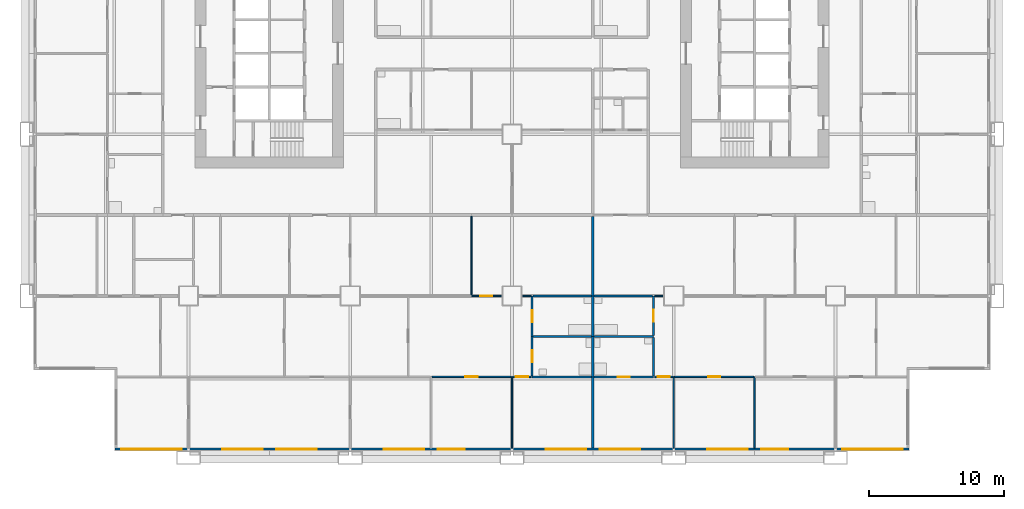
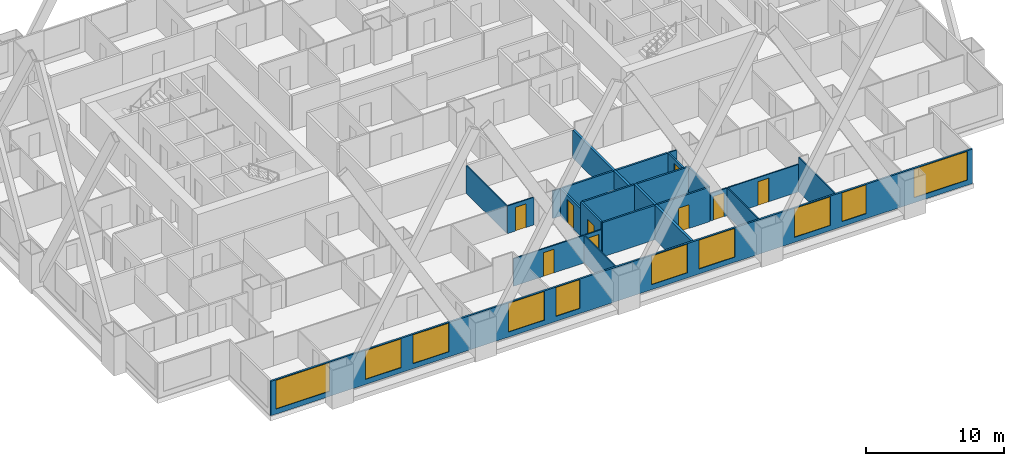
# One storey, part 5 of 13: 26 walls, 10 windows, 9 doors, 19 openings.
"""IFC4 building model written with IfcOpenShell, lengths in metres."""

from ifc_helpers import new_model, si_unit, direction, frame, frame_2d, origin, place, context, subcontext, project, spatial, rectangle, extrude, material, layer, layer_set, type_object, element, fill, save


model = new_model("IFC4")

# Units and contexts
model_context = context("Model", 3, precision=1e-05, world=origin(), true_north=direction((0.0, 1.0)))
body_context = subcontext(model_context, "Body", "Model", "MODEL_VIEW")
ifc_project = project(units=[si_unit("LENGTHUNIT", "METRE"), si_unit("AREAUNIT", "SQUARE_METRE"), si_unit("VOLUMEUNIT", "CUBIC_METRE"), si_unit("PLANEANGLEUNIT", "RADIAN"), si_unit("MASSUNIT", "GRAM", prefix="KILO")], contexts=[model_context])

# Site, building, storey
site_placement = place(None, origin())
site = spatial("IfcSite", under=ifc_project, at=site_placement, CompositionType="ELEMENT")
building_placement = place(site_placement, origin())
building = spatial("IfcBuilding", under=site, at=building_placement, Name="Kitamizu Gate Tower and Museum", CompositionType="ELEMENT")
storey_placement = place(building_placement, frame((0.0, 0.0, 50.699951171875)))
storey = spatial("IfcBuildingStorey", under=building, at=storey_placement, Name="L11", CompositionType="ELEMENT", Elevation=50.699951171875)

# Wall
ifc_material_1 = material(Name="Gypsum board on galvanised stud")
ifc_layer_1 = layer(ifc_material_1, 0.10009765625)
ifc_layer_set_1 = layer_set([ifc_layer_1], Name="Gypsum board on galvanised stud")
wall_type_1 = type_object("IfcWallType", Name="Partition 100 NOT RATED", PredefinedType="PARTITIONING", material=ifc_layer_set_1)
wall_1_placement = place(storey_placement, frame((36.0, 0.719970703125, 0.0), z_axis=(0.0, 0.0, 1.0), x_axis=(0.0, 1.0, 0.0)))
element("IfcWall", 1, at=wall_1_placement, inside=storey, type_object=wall_type_1, Name="Partition L11-010", PredefinedType="PARTITIONING", context=body_context, shape_type="SweptSolid", body=[
    extrude(rectangle(XDim=5.280029296875, YDim=0.10009765625, at=frame_2d((2.64013671875, 0.0))), origin(), (0.0, 0.0, 1.0), 2.449951171875),
])

# Wall, opening, door
wall_2_placement = place(storey_placement, frame((35.949951171875, 6.0, 0.0), z_axis=(0.0, 0.0, 1.0), x_axis=(-1.0, 0.0, 0.0)))
wall_2 = element("IfcWall", 2, at=wall_2_placement, inside=storey, type_object=wall_type_1, Name="Partition L11-011", PredefinedType="PARTITIONING", context=body_context, shape_type="SweptSolid", body=[
    extrude(rectangle(XDim=5.89990234375, YDim=0.10009765625, at=frame_2d((2.949951171875, 0.0))), origin(), (0.0, 0.0, 1.0), 2.449951171875),
])
opening_1_placement = place(wall_2_placement, frame((2.5, 0.0, 0.0)))
opening_1 = element("IfcOpeningElement", 3, at=opening_1_placement, cuts=wall_2, Name="Opening L11-010", PredefinedType="OPENING", context=body_context, shape_type="SweptSolid", body=[
    extrude(rectangle(XDim=0.89990234375, YDim=2.10009765625, at=frame_2d((0.449951171875, 1.050048828125))), frame((0.0, 0.06005859375, 0.0), z_axis=(0.0, -1.0, 0.0), x_axis=(1.0, 0.0, 0.0)), (0.0, 0.0, 1.0), 0.1201171875),
])
ifc_material_2 = material(Name="Timber door set", Category="wood")
door_type_1 = type_object("IfcDoorType", Name="Room door 900", OperationType="NOTDEFINED", PredefinedType="DOOR", material=ifc_material_2)
door_1_placement = place(opening_1_placement, origin())
door_1 = element("IfcDoor", 4, at=door_1_placement, inside=storey, type_object=door_type_1, Name="Door L11-010", OperationType="SINGLE_SWING_RIGHT", OverallHeight=2.10009765625, OverallWidth=0.89990234375, PredefinedType="DOOR", context=body_context, shape_type="SweptSolid", body=[
    extrude(rectangle(XDim=0.89990234375, YDim=2.10009765625, at=frame_2d((0.449951171875, 1.050048828125))), frame((0.0, 0.02490234375, 0.0), z_axis=(0.0, -1.0, 0.0), x_axis=(1.0, 0.0, 0.0)), (0.0, 0.0, 1.0), 0.050048828125),
])
fill(opening_1, door_1)

wall_3_placement = place(storey_placement, frame((37.425048828125, 6.0, 0.0), z_axis=(0.0, 0.0, 1.0), x_axis=(-1.0, 0.0, 0.0)))
wall_3 = element("IfcWall", 5, at=wall_3_placement, inside=storey, type_object=wall_type_1, Name="Partition L11-012", PredefinedType="PARTITIONING", context=body_context, shape_type="SweptSolid", body=[
    extrude(rectangle(XDim=1.375, YDim=0.10009765625, at=frame_2d((0.6875, 0.0))), origin(), (0.0, 0.0, 1.0), 2.449951171875),
])
opening_2_placement = place(wall_3_placement, frame((0.237548828125, 0.0, 0.0)))
opening_2 = element("IfcOpeningElement", 6, at=opening_2_placement, cuts=wall_3, Name="Opening L11-011", PredefinedType="OPENING", context=body_context, shape_type="SweptSolid", body=[
    extrude(rectangle(XDim=0.89990234375, YDim=2.10009765625, at=frame_2d((0.449951171875, 1.050048828125))), frame((0.0, 0.06005859375, 0.0), z_axis=(0.0, -1.0, 0.0), x_axis=(1.0, 0.0, 0.0)), (0.0, 0.0, 1.0), 0.1201171875),
])
door_2_placement = place(opening_2_placement, origin())
door_2 = element("IfcDoor", 7, at=door_2_placement, inside=storey, type_object=door_type_1, Name="Door L11-011", OperationType="SINGLE_SWING_LEFT", OverallHeight=2.10009765625, OverallWidth=0.89990234375, PredefinedType="DOOR", context=body_context, shape_type="SweptSolid", body=[
    extrude(rectangle(XDim=0.89990234375, YDim=2.10009765625, at=frame_2d((0.449951171875, 1.050048828125))), frame((0.0, 0.02490234375, 0.0), z_axis=(0.0, -1.0, 0.0), x_axis=(1.0, 0.0, 0.0)), (0.0, 0.0, 1.0), 0.050048828125),
])
fill(opening_2, door_2)

wall_4_placement = place(storey_placement, frame((35.199951171875, 12.0, 0.0), z_axis=(0.0, 0.0, 1.0), x_axis=(-1.0, 0.0, 0.0)))
wall_4 = element("IfcWall", 8, at=wall_4_placement, inside=storey, type_object=wall_type_1, Name="Partition L11-030", PredefinedType="PARTITIONING", context=body_context, shape_type="SweptSolid", body=[
    extrude(rectangle(XDim=2.199951171875, YDim=0.10009765625, at=frame_2d((1.10009765625, 0.0))), origin(), (0.0, 0.0, 1.0), 2.449951171875),
])
opening_3_placement = place(wall_4_placement, frame((0.64990234375, 0.0, 0.0)))
opening_3 = element("IfcOpeningElement", 9, at=opening_3_placement, cuts=wall_4, Name="Opening L11-019", PredefinedType="OPENING", context=body_context, shape_type="SweptSolid", body=[
    extrude(rectangle(XDim=0.89990234375, YDim=2.10009765625, at=frame_2d((0.449951171875, 1.050048828125))), frame((0.0, 0.06005859375, 0.0), z_axis=(0.0, -1.0, 0.0), x_axis=(1.0, 0.0, 0.0)), (0.0, 0.0, 1.0), 0.1201171875),
])
door_3_placement = place(opening_3_placement, frame((0.89990234375, 0.0, 0.0), x_axis=(-1.0, 0.0, 0.0)))
door_3 = element("IfcDoor", 10, at=door_3_placement, inside=storey, type_object=door_type_1, Name="Door L11-019", OperationType="SINGLE_SWING_RIGHT", OverallHeight=2.10009765625, OverallWidth=0.89990234375, PredefinedType="DOOR", context=body_context, shape_type="SweptSolid", body=[
    extrude(rectangle(XDim=0.89990234375, YDim=2.10009765625, at=frame_2d((0.449951171875, 1.050048828125))), frame((0.0, 0.02490234375, 0.0), z_axis=(0.0, -1.0, 0.0), x_axis=(1.0, 0.0, 0.0)), (0.0, 0.0, 1.0), 0.050048828125),
])
fill(opening_3, door_3)

# Walls
wall_5_placement = place(storey_placement, frame((37.425048828125, 12.0, 0.0), z_axis=(0.0, 0.0, 1.0), x_axis=(-1.0, 0.0, 0.0)))
element("IfcWall", 11, at=wall_5_placement, inside=storey, type_object=wall_type_1, Name="Partition L11-031", PredefinedType="PARTITIONING", context=body_context, shape_type="SweptSolid", body=[
    extrude(rectangle(XDim=0.625, YDim=0.10009765625, at=frame_2d((0.3125, 0.0))), origin(), (0.0, 0.0, 1.0), 2.449951171875),
])
wall_6_placement = place(storey_placement, frame((33.0, 12.050048828125, 0.0), z_axis=(0.0, 0.0, 1.0), x_axis=(0.0, 1.0, 0.0)))
element("IfcWall", 12, at=wall_6_placement, inside=storey, type_object=wall_type_1, Name="Partition L11-053", PredefinedType="PARTITIONING", context=body_context, shape_type="SweptSolid", body=[
    extrude(rectangle(XDim=5.849853515625, YDim=0.10009765625, at=frame_2d((2.9248046875, 0.0))), origin(), (0.0, 0.0, 1.0), 2.449951171875),
])
wall_7_placement = place(storey_placement, frame((48.0, 0.719970703125, 0.0), z_axis=(0.0, 0.0, 1.0), x_axis=(0.0, 1.0, 0.0)))
element("IfcWall", 13, at=wall_7_placement, inside=storey, type_object=wall_type_1, Name="Partition L11-076", PredefinedType="PARTITIONING", context=body_context, shape_type="SweptSolid", body=[
    extrude(rectangle(XDim=5.280029296875, YDim=0.10009765625, at=frame_2d((2.64013671875, 0.0))), origin(), (0.0, 0.0, 1.0), 2.449951171875),
])

# Wall, opening, door
wall_8_placement = place(storey_placement, frame((47.949951171875, 6.0, 0.0), z_axis=(0.0, 0.0, 1.0), x_axis=(-1.0, 0.0, 0.0)))
wall_8 = element("IfcWall", 14, at=wall_8_placement, inside=storey, type_object=wall_type_1, Name="Partition L11-078", PredefinedType="PARTITIONING", context=body_context, shape_type="SweptSolid", body=[
    extrude(rectangle(XDim=1.375, YDim=0.10009765625, at=frame_2d((0.6875, 0.0))), origin(), (0.0, 0.0, 1.0), 2.449951171875),
])
opening_4_placement = place(wall_8_placement, frame((0.237548828125, 0.0, 0.0)))
opening_4 = element("IfcOpeningElement", 15, at=opening_4_placement, cuts=wall_8, Name="Opening L11-029", PredefinedType="OPENING", context=body_context, shape_type="SweptSolid", body=[
    extrude(rectangle(XDim=0.89990234375, YDim=2.10009765625, at=frame_2d((0.449951171875, 1.050048828125))), frame((0.0, 0.06005859375, 0.0), z_axis=(0.0, -1.0, 0.0), x_axis=(1.0, 0.0, 0.0)), (0.0, 0.0, 1.0), 0.1201171875),
])
door_4_placement = place(opening_4_placement, origin())
door_4 = element("IfcDoor", 16, at=door_4_placement, inside=storey, type_object=door_type_1, Name="Door L11-029", OperationType="SINGLE_SWING_RIGHT", OverallHeight=2.10009765625, OverallWidth=0.89990234375, PredefinedType="DOOR", context=body_context, shape_type="SweptSolid", body=[
    extrude(rectangle(XDim=0.89990234375, YDim=2.10009765625, at=frame_2d((0.449951171875, 1.050048828125))), frame((0.0, 0.02490234375, 0.0), z_axis=(0.0, -1.0, 0.0), x_axis=(1.0, 0.0, 0.0)), (0.0, 0.0, 1.0), 0.050048828125),
])
fill(opening_4, door_4)

# Wall
wall_9_placement = place(storey_placement, frame((54.0, 0.719970703125, 0.0), z_axis=(0.0, 0.0, 1.0), x_axis=(0.0, 1.0, 0.0)))
element("IfcWall", 17, at=wall_9_placement, inside=storey, type_object=wall_type_1, Name="Partition L11-079", PredefinedType="PARTITIONING", context=body_context, shape_type="SweptSolid", body=[
    extrude(rectangle(XDim=5.280029296875, YDim=0.10009765625, at=frame_2d((2.64013671875, 0.0))), origin(), (0.0, 0.0, 1.0), 3.050048828125),
])

# Wall, opening, door
wall_10_placement = place(storey_placement, frame((53.949951171875, 6.0, 0.0), z_axis=(0.0, 0.0, 1.0), x_axis=(-1.0, 0.0, 0.0)))
wall_10 = element("IfcWall", 18, at=wall_10_placement, inside=storey, type_object=wall_type_1, Name="Partition L11-080", PredefinedType="PARTITIONING", context=body_context, shape_type="SweptSolid", body=[
    extrude(rectangle(XDim=5.89990234375, YDim=0.10009765625, at=frame_2d((2.949951171875, 0.0))), origin(), (0.0, 0.0, 1.0), 2.449951171875),
])
opening_5_placement = place(wall_10_placement, frame((2.5, 0.0, 0.0)))
opening_5 = element("IfcOpeningElement", 19, at=opening_5_placement, cuts=wall_10, Name="Opening L11-032", PredefinedType="OPENING", context=body_context, shape_type="SweptSolid", body=[
    extrude(rectangle(XDim=0.89990234375, YDim=2.10009765625, at=frame_2d((0.449951171875, 1.050048828125))), frame((0.0, 0.06005859375, 0.0), z_axis=(0.0, -1.0, 0.0), x_axis=(1.0, 0.0, 0.0)), (0.0, 0.0, 1.0), 0.1201171875),
])
door_5_placement = place(opening_5_placement, origin())
door_5 = element("IfcDoor", 20, at=door_5_placement, inside=storey, type_object=door_type_1, Name="Door L11-032", OperationType="SINGLE_SWING_RIGHT", OverallHeight=2.10009765625, OverallWidth=0.89990234375, PredefinedType="DOOR", context=body_context, shape_type="SweptSolid", body=[
    extrude(rectangle(XDim=0.89990234375, YDim=2.10009765625, at=frame_2d((0.449951171875, 1.050048828125))), frame((0.0, 0.02490234375, 0.0), z_axis=(0.0, -1.0, 0.0), x_axis=(1.0, 0.0, 0.0)), (0.0, 0.0, 1.0), 0.050048828125),
])
fill(opening_5, door_5)

# Walls
wall_11_placement = place(storey_placement, frame((47.199951171875, 12.0, 0.0), z_axis=(0.0, 0.0, 1.0), x_axis=(-1.0, 0.0, 0.0)))
element("IfcWall", 21, at=wall_11_placement, inside=storey, type_object=wall_type_1, Name="Partition L11-091", PredefinedType="PARTITIONING", context=body_context, shape_type="SweptSolid", body=[
    extrude(rectangle(XDim=0.625, YDim=0.10009765625, at=frame_2d((0.3125, 0.0))), origin(), (0.0, 0.0, 1.0), 2.449951171875),
])
ifc_material_3 = material(Name="Gypsum board on galvanised stud")
ifc_layer_2 = layer(ifc_material_3, 0.14990234375)
ifc_layer_set_2 = layer_set([ifc_layer_2], Name="Gypsum board on galvanised stud")
wall_type_2 = type_object("IfcWallType", Name="Partition 150", PredefinedType="PARTITIONING", material=ifc_layer_set_2)
wall_12_placement = place(storey_placement, frame((41.89990234375, 6.0, 0.0), z_axis=(0.0, 0.0, 1.0), x_axis=(-1.0, 0.0, 0.0)))
element("IfcWall", 22, at=wall_12_placement, inside=storey, type_object=wall_type_2, Name="Partition L11-013", PredefinedType="PARTITIONING", context=body_context, shape_type="SweptSolid", body=[
    extrude(rectangle(XDim=4.39990234375, YDim=0.14990234375, at=frame_2d((2.199951171875, 0.0))), origin(), (0.0, 0.0, 1.0), 3.050048828125),
])

# Wall, opening, door
wall_13_placement = place(storey_placement, frame((37.5, 6.074951171875, 0.0), z_axis=(0.0, 0.0, 1.0), x_axis=(0.0, 1.0, 0.0)))
wall_13 = element("IfcWall", 23, at=wall_13_placement, inside=storey, type_object=wall_type_2, Name="Partition L11-027", PredefinedType="PARTITIONING", context=body_context, shape_type="SweptSolid", body=[
    extrude(rectangle(XDim=2.925048828125, YDim=0.14990234375, at=frame_2d((1.46240234375, 0.0))), origin(), (0.0, 0.0, 1.0), 3.050048828125),
])
opening_6_placement = place(wall_13_placement, frame((1.012451171875, 0.0, 0.0)))
opening_6 = element("IfcOpeningElement", 24, at=opening_6_placement, cuts=wall_13, Name="Opening L11-008", PredefinedType="OPENING", context=body_context, shape_type="SweptSolid", body=[
    extrude(rectangle(XDim=0.89990234375, YDim=2.10009765625, at=frame_2d((0.449951171875, 1.050048828125))), frame((0.0, 0.0849609375, 0.0), z_axis=(0.0, -1.0, 0.0), x_axis=(1.0, 0.0, 0.0)), (0.0, 0.0, 1.0), 0.169921875),
])
ifc_material_4 = material(Name="Timber door set", Category="wood")
door_type_2 = type_object("IfcDoorType", Name="Bathroom door 900", OperationType="NOTDEFINED", PredefinedType="DOOR", material=ifc_material_4)
door_6_placement = place(opening_6_placement, frame((0.89990234375, 0.0, 0.0), x_axis=(-1.0, 0.0, 0.0)))
door_6 = element("IfcDoor", 25, at=door_6_placement, inside=storey, type_object=door_type_2, Name="Bathroom door L11-008", OperationType="SINGLE_SWING_LEFT", OverallHeight=2.10009765625, OverallWidth=0.89990234375, PredefinedType="DOOR", context=body_context, shape_type="SweptSolid", body=[
    extrude(rectangle(XDim=0.89990234375, YDim=2.10009765625, at=frame_2d((0.449951171875, 1.050048828125))), frame((0.0, 0.02490234375, 0.0), z_axis=(0.0, -1.0, 0.0), x_axis=(1.0, 0.0, 0.0)), (0.0, 0.0, 1.0), 0.050048828125),
])
fill(opening_6, door_6)

wall_14_placement = place(storey_placement, frame((37.5, 9.0, 0.0), z_axis=(0.0, 0.0, 1.0), x_axis=(0.0, 1.0, 0.0)))
wall_14 = element("IfcWall", 26, at=wall_14_placement, inside=storey, type_object=wall_type_2, Name="Partition L11-028", PredefinedType="PARTITIONING", context=body_context, shape_type="SweptSolid", body=[
    extrude(rectangle(XDim=3.0, YDim=0.14990234375, at=frame_2d((1.5, 0.0))), origin(), (0.0, 0.0, 1.0), 2.449951171875),
])
opening_7_placement = place(wall_14_placement, frame((1.050048828125, 0.0, 0.0)))
opening_7 = element("IfcOpeningElement", 27, at=opening_7_placement, cuts=wall_14, Name="Opening L11-012", PredefinedType="OPENING", context=body_context, shape_type="SweptSolid", body=[
    extrude(rectangle(XDim=0.89990234375, YDim=2.10009765625, at=frame_2d((0.449951171875, 1.050048828125))), frame((0.0, 0.0849609375, 0.0), z_axis=(0.0, -1.0, 0.0), x_axis=(1.0, 0.0, 0.0)), (0.0, 0.0, 1.0), 0.169921875),
])
door_7_placement = place(opening_7_placement, frame((0.89990234375, 0.0, 0.0), x_axis=(-1.0, 0.0, 0.0)))
door_7 = element("IfcDoor", 28, at=door_7_placement, inside=storey, type_object=door_type_2, Name="Bathroom door L11-012", OperationType="SINGLE_SWING_RIGHT", OverallHeight=2.10009765625, OverallWidth=0.89990234375, PredefinedType="DOOR", context=body_context, shape_type="SweptSolid", body=[
    extrude(rectangle(XDim=0.89990234375, YDim=2.10009765625, at=frame_2d((0.449951171875, 1.050048828125))), frame((0.0, 0.02490234375, 0.0), z_axis=(0.0, -1.0, 0.0), x_axis=(1.0, 0.0, 0.0)), (0.0, 0.0, 1.0), 0.050048828125),
])
fill(opening_7, door_7)

# Walls
wall_15_placement = place(storey_placement, frame((41.89990234375, 9.0, 0.0), z_axis=(0.0, 0.0, 1.0), x_axis=(-1.0, 0.0, 0.0)))
element("IfcWall", 29, at=wall_15_placement, inside=storey, type_object=wall_type_2, Name="Partition L11-032", PredefinedType="PARTITIONING", context=body_context, shape_type="SweptSolid", body=[
    extrude(rectangle(XDim=4.324951171875, YDim=0.14990234375, at=frame_2d((2.16259765625, 0.0))), origin(), (0.0, 0.0, 1.0), 3.050048828125),
])
wall_16_placement = place(storey_placement, frame((41.89990234375, 12.0, 0.0), z_axis=(0.0, 0.0, 1.0), x_axis=(-1.0, 0.0, 0.0)))
element("IfcWall", 30, at=wall_16_placement, inside=storey, type_object=wall_type_2, Name="Partition L11-034", PredefinedType="PARTITIONING", context=body_context, shape_type="SweptSolid", body=[
    extrude(rectangle(XDim=4.324951171875, YDim=0.14990234375, at=frame_2d((2.16259765625, 0.0))), origin(), (0.0, 0.0, 1.0), 2.449951171875),
])

# Wall, opening, door
wall_17_placement = place(storey_placement, frame((46.5, 6.0, 0.0), z_axis=(0.0, 0.0, 1.0), x_axis=(-1.0, 0.0, 0.0)))
wall_17 = element("IfcWall", 31, at=wall_17_placement, inside=storey, type_object=wall_type_2, Name="Partition L11-077", PredefinedType="PARTITIONING", context=body_context, shape_type="SweptSolid", body=[
    extrude(rectangle(XDim=4.39990234375, YDim=0.14990234375, at=frame_2d((2.199951171875, 0.0))), origin(), (0.0, 0.0, 1.0), 3.050048828125),
])
opening_8_placement = place(wall_17_placement, frame((1.75, 0.0, 0.0)))
opening_8 = element("IfcOpeningElement", 32, at=opening_8_placement, cuts=wall_17, Name="Opening L11-031", PredefinedType="OPENING", context=body_context, shape_type="SweptSolid", body=[
    extrude(rectangle(XDim=0.89990234375, YDim=2.10009765625, at=frame_2d((0.449951171875, 1.050048828125))), frame((0.0, 0.0849609375, 0.0), z_axis=(0.0, -1.0, 0.0), x_axis=(1.0, 0.0, 0.0)), (0.0, 0.0, 1.0), 0.169921875),
])
door_8_placement = place(opening_8_placement, frame((0.89990234375, 0.0, 0.0), x_axis=(-1.0, 0.0, 0.0)))
door_8 = element("IfcDoor", 33, at=door_8_placement, inside=storey, type_object=door_type_2, Name="Bathroom door L11-031", OperationType="SINGLE_SWING_RIGHT", OverallHeight=2.10009765625, OverallWidth=0.89990234375, PredefinedType="DOOR", context=body_context, shape_type="SweptSolid", body=[
    extrude(rectangle(XDim=0.89990234375, YDim=2.10009765625, at=frame_2d((0.449951171875, 1.050048828125))), frame((0.0, 0.02490234375, 0.0), z_axis=(0.0, -1.0, 0.0), x_axis=(1.0, 0.0, 0.0)), (0.0, 0.0, 1.0), 0.050048828125),
])
fill(opening_8, door_8)

# Walls
wall_18_placement = place(storey_placement, frame((46.5, 9.0, 0.0), z_axis=(0.0, 0.0, 1.0), x_axis=(-1.0, 0.0, 0.0)))
element("IfcWall", 34, at=wall_18_placement, inside=storey, type_object=wall_type_2, Name="Partition L11-086", PredefinedType="PARTITIONING", context=body_context, shape_type="SweptSolid", body=[
    extrude(rectangle(XDim=4.39990234375, YDim=0.14990234375, at=frame_2d((2.199951171875, 0.0))), origin(), (0.0, 0.0, 1.0), 3.050048828125),
])
wall_19_placement = place(storey_placement, frame((46.5, 6.074951171875, 0.0), z_axis=(0.0, 0.0, 1.0), x_axis=(0.0, 1.0, 0.0)))
element("IfcWall", 35, at=wall_19_placement, inside=storey, type_object=wall_type_2, Name="Partition L11-087", PredefinedType="PARTITIONING", context=body_context, shape_type="SweptSolid", body=[
    extrude(rectangle(XDim=2.85009765625, YDim=0.14990234375, at=frame_2d((1.425048828125, 0.0))), origin(), (0.0, 0.0, 1.0), 3.050048828125),
])

# Wall, opening, door
wall_20_placement = place(storey_placement, frame((46.5, 9.074951171875, 0.0), z_axis=(0.0, 0.0, 1.0), x_axis=(0.0, 1.0, 0.0)))
wall_20 = element("IfcWall", 36, at=wall_20_placement, inside=storey, type_object=wall_type_2, Name="Partition L11-088", PredefinedType="PARTITIONING", context=body_context, shape_type="SweptSolid", body=[
    extrude(rectangle(XDim=2.925048828125, YDim=0.14990234375, at=frame_2d((1.46240234375, 0.0))), origin(), (0.0, 0.0, 1.0), 2.449951171875),
])
opening_9_placement = place(wall_20_placement, frame((1.012451171875, 0.0, 0.0)))
opening_9 = element("IfcOpeningElement", 37, at=opening_9_placement, cuts=wall_20, Name="Opening L11-035", PredefinedType="OPENING", context=body_context, shape_type="SweptSolid", body=[
    extrude(rectangle(XDim=0.89990234375, YDim=2.10009765625, at=frame_2d((0.449951171875, 1.050048828125))), frame((0.0, 0.0849609375, 0.0), z_axis=(0.0, -1.0, 0.0), x_axis=(1.0, 0.0, 0.0)), (0.0, 0.0, 1.0), 0.169921875),
])
door_9_placement = place(opening_9_placement, origin())
door_9 = element("IfcDoor", 38, at=door_9_placement, inside=storey, type_object=door_type_2, Name="Bathroom door L11-035", OperationType="SINGLE_SWING_RIGHT", OverallHeight=2.10009765625, OverallWidth=0.89990234375, PredefinedType="DOOR", context=body_context, shape_type="SweptSolid", body=[
    extrude(rectangle(XDim=0.89990234375, YDim=2.10009765625, at=frame_2d((0.449951171875, 1.050048828125))), frame((0.0, 0.02490234375, 0.0), z_axis=(0.0, -1.0, 0.0), x_axis=(1.0, 0.0, 0.0)), (0.0, 0.0, 1.0), 0.050048828125),
])
fill(opening_9, door_9)

# Walls
wall_21_placement = place(storey_placement, frame((46.425048828125, 12.0, 0.0), z_axis=(0.0, 0.0, 1.0), x_axis=(-1.0, 0.0, 0.0)))
element("IfcWall", 39, at=wall_21_placement, inside=storey, type_object=wall_type_2, Name="Partition L11-089", PredefinedType="PARTITIONING", context=body_context, shape_type="SweptSolid", body=[
    extrude(rectangle(XDim=4.324951171875, YDim=0.14990234375, at=frame_2d((2.16259765625, 0.0))), origin(), (0.0, 0.0, 1.0), 2.449951171875),
])
ifc_material_5 = material(Name="Gypsum board on galvanised stud")
ifc_layer_3 = layer(ifc_material_5, 0.199951171875)
ifc_layer_set_3 = layer_set([ifc_layer_3], Name="Gypsum board on galvanised stud")
wall_type_3 = type_object("IfcWallType", Name="Partition 200", PredefinedType="PARTITIONING", material=ifc_layer_set_3)
wall_22_placement = place(storey_placement, frame((42.0, 0.719970703125, 0.0), z_axis=(0.0, 0.0, 1.0), x_axis=(0.0, 1.0, 0.0)))
element("IfcWall", 40, at=wall_22_placement, inside=storey, type_object=wall_type_3, Name="Partition L11-014", PredefinedType="PARTITIONING", context=body_context, shape_type="SweptSolid", body=[
    extrude(rectangle(XDim=5.280029296875, YDim=0.199951171875, at=frame_2d((2.64013671875, 0.0))), origin(), (0.0, 0.0, 1.0), 3.050048828125),
])
wall_23_placement = place(storey_placement, frame((42.0, 6.0, 0.0), z_axis=(0.0, 0.0, 1.0), x_axis=(0.0, 1.0, 0.0)))
element("IfcWall", 41, at=wall_23_placement, inside=storey, type_object=wall_type_3, Name="Partition L11-033", PredefinedType="PARTITIONING", context=body_context, shape_type="SweptSolid", body=[
    extrude(rectangle(XDim=3.0, YDim=0.199951171875, at=frame_2d((1.5, 0.0))), origin(), (0.0, 0.0, 1.0), 3.050048828125),
])
wall_24_placement = place(storey_placement, frame((42.0, 9.0, 0.0), z_axis=(0.0, 0.0, 1.0), x_axis=(0.0, 1.0, 0.0)))
element("IfcWall", 42, at=wall_24_placement, inside=storey, type_object=wall_type_3, Name="Partition L11-035", PredefinedType="PARTITIONING", context=body_context, shape_type="SweptSolid", body=[
    extrude(rectangle(XDim=3.0, YDim=0.199951171875, at=frame_2d((1.5, 0.0))), origin(), (0.0, 0.0, 1.0), 2.449951171875),
])
wall_25_placement = place(storey_placement, frame((42.0, 12.0, 0.0), z_axis=(0.0, 0.0, 1.0), x_axis=(0.0, 1.0, 0.0)))
element("IfcWall", 43, at=wall_25_placement, inside=storey, type_object=wall_type_3, Name="Partition L11-058", PredefinedType="PARTITIONING", context=body_context, shape_type="SweptSolid", body=[
    extrude(rectangle(XDim=5.89990234375, YDim=0.199951171875, at=frame_2d((2.949951171875, 0.0))), origin(), (0.0, 0.0, 1.0), 2.449951171875),
])

# Wall, openings, windows
ifc_material_6 = material(Name="Bronze anodised aluminium frame with insulated spandrel and tinted glass", Category="aluminium")
ifc_layer_4 = layer(ifc_material_6, 0.14990234375)
ifc_layer_set_4 = layer_set([ifc_layer_4], Name="Bronze anodised aluminium frame with insulated spandrel and tinted glass")
wall_type_4 = type_object("IfcWallType", Name="WINDOW WALL 150 BRONZE FRAME EI 30", PredefinedType="ELEMENTEDWALL", material=ifc_layer_set_4)
wall_26_placement = place(storey_placement, frame((6.56005859375, 0.635009765625, 0.0), z_axis=(0.0, 0.0, 1.0), x_axis=(1.0, 0.0, 0.0)))
wall_26 = element("IfcWall", 44, at=wall_26_placement, inside=storey, type_object=wall_type_4, Name="Window wall south L11", PredefinedType="ELEMENTEDWALL", context=body_context, shape_type="SweptSolid", body=[
    extrude(rectangle(XDim=58.8798828125, YDim=0.14990234375, at=frame_2d((29.43994140625, 0.0))), origin(), (0.0, 0.0, 1.0), 3.050048828125),
])
opening_10_placement = place(wall_26_placement, frame((0.43994140625, 0.0, 0.449951171875)))
opening_10 = element("IfcOpeningElement", 45, at=opening_10_placement, cuts=wall_26, Name="Opening W15", PredefinedType="OPENING", context=body_context, shape_type="SweptSolid", body=[
    extrude(rectangle(XDim=4.5, YDim=2.550048828125, at=frame_2d((2.25, 1.27490234375))), frame((0.0, 0.0849609375, 0.0), z_axis=(0.0, -1.0, 0.0), x_axis=(1.0, 0.0, 0.0)), (0.0, 0.0, 1.0), 0.169921875),
])
opening_11_placement = place(wall_26_placement, frame((7.93994140625, 0.0, 0.449951171875)))
opening_11 = element("IfcOpeningElement", 46, at=opening_11_placement, cuts=wall_26, Name="Opening W33", PredefinedType="OPENING", context=body_context, shape_type="SweptSolid", body=[
    extrude(rectangle(XDim=3.0, YDim=2.550048828125, at=frame_2d((1.5, 1.27490234375))), frame((0.0, 0.0849609375, 0.0), z_axis=(0.0, -1.0, 0.0), x_axis=(1.0, 0.0, 0.0)), (0.0, 0.0, 1.0), 0.169921875),
])
opening_12_placement = place(wall_26_placement, frame((11.93994140625, 0.0, 0.449951171875)))
opening_12 = element("IfcOpeningElement", 47, at=opening_12_placement, cuts=wall_26, Name="Opening W33", PredefinedType="OPENING", context=body_context, shape_type="SweptSolid", body=[
    extrude(rectangle(XDim=3.0, YDim=2.550048828125, at=frame_2d((1.5, 1.27490234375))), frame((0.0, 0.0849609375, 0.0), z_axis=(0.0, -1.0, 0.0), x_axis=(1.0, 0.0, 0.0)), (0.0, 0.0, 1.0), 0.169921875),
])
opening_13_placement = place(wall_26_placement, frame((19.93994140625, 0.0, 0.449951171875)))
opening_13 = element("IfcOpeningElement", 48, at=opening_13_placement, cuts=wall_26, Name="Opening W33", PredefinedType="OPENING", context=body_context, shape_type="SweptSolid", body=[
    extrude(rectangle(XDim=3.0, YDim=2.550048828125, at=frame_2d((1.5, 1.27490234375))), frame((0.0, 0.0849609375, 0.0), z_axis=(0.0, -1.0, 0.0), x_axis=(1.0, 0.0, 0.0)), (0.0, 0.0, 1.0), 0.169921875),
])
opening_14_placement = place(wall_26_placement, frame((23.93994140625, 0.0, 0.449951171875)))
opening_14 = element("IfcOpeningElement", 49, at=opening_14_placement, cuts=wall_26, Name="Opening W2", PredefinedType="OPENING", context=body_context, shape_type="SweptSolid", body=[
    extrude(rectangle(XDim=2.0, YDim=2.550048828125, at=frame_2d((1.0, 1.27490234375))), frame((0.0, 0.0849609375, 0.0), z_axis=(0.0, -1.0, 0.0), x_axis=(1.0, 0.0, 0.0)), (0.0, 0.0, 1.0), 0.169921875),
])
opening_15_placement = place(wall_26_placement, frame((31.93994140625, 0.0, 0.449951171875)))
opening_15 = element("IfcOpeningElement", 50, at=opening_15_placement, cuts=wall_26, Name="Opening W33", PredefinedType="OPENING", context=body_context, shape_type="SweptSolid", body=[
    extrude(rectangle(XDim=3.0, YDim=2.550048828125, at=frame_2d((1.5, 1.27490234375))), frame((0.0, 0.0849609375, 0.0), z_axis=(0.0, -1.0, 0.0), x_axis=(1.0, 0.0, 0.0)), (0.0, 0.0, 1.0), 0.169921875),
])
opening_16_placement = place(wall_26_placement, frame((35.93994140625, 0.0, 0.449951171875)))
opening_16 = element("IfcOpeningElement", 51, at=opening_16_placement, cuts=wall_26, Name="Opening W33", PredefinedType="OPENING", context=body_context, shape_type="SweptSolid", body=[
    extrude(rectangle(XDim=3.0, YDim=2.550048828125, at=frame_2d((1.5, 1.27490234375))), frame((0.0, 0.0849609375, 0.0), z_axis=(0.0, -1.0, 0.0), x_axis=(1.0, 0.0, 0.0)), (0.0, 0.0, 1.0), 0.169921875),
])
opening_17_placement = place(wall_26_placement, frame((43.93994140625, 0.0, 0.449951171875)))
opening_17 = element("IfcOpeningElement", 52, at=opening_17_placement, cuts=wall_26, Name="Opening W33", PredefinedType="OPENING", context=body_context, shape_type="SweptSolid", body=[
    extrude(rectangle(XDim=3.0, YDim=2.550048828125, at=frame_2d((1.5, 1.27490234375))), frame((0.0, 0.0849609375, 0.0), z_axis=(0.0, -1.0, 0.0), x_axis=(1.0, 0.0, 0.0)), (0.0, 0.0, 1.0), 0.169921875),
])
opening_18_placement = place(wall_26_placement, frame((47.93994140625, 0.0, 0.449951171875)))
opening_18 = element("IfcOpeningElement", 53, at=opening_18_placement, cuts=wall_26, Name="Opening W2", PredefinedType="OPENING", context=body_context, shape_type="SweptSolid", body=[
    extrude(rectangle(XDim=2.0, YDim=2.550048828125, at=frame_2d((1.0, 1.27490234375))), frame((0.0, 0.0849609375, 0.0), z_axis=(0.0, -1.0, 0.0), x_axis=(1.0, 0.0, 0.0)), (0.0, 0.0, 1.0), 0.169921875),
])
opening_19_placement = place(wall_26_placement, frame((53.93994140625, 0.0, 0.449951171875)))
opening_19 = element("IfcOpeningElement", 54, at=opening_19_placement, cuts=wall_26, Name="Opening W15", PredefinedType="OPENING", context=body_context, shape_type="SweptSolid", body=[
    extrude(rectangle(XDim=4.5, YDim=2.550048828125, at=frame_2d((2.25, 1.27490234375))), frame((0.0, 0.0849609375, 0.0), z_axis=(0.0, -1.0, 0.0), x_axis=(1.0, 0.0, 0.0)), (0.0, 0.0, 1.0), 0.169921875),
])
ifc_material_7 = material(Name="Bronze anodised aluminium frame, tinted triple glazing", Category="aluminium")
window_type_1 = type_object("IfcWindowType", Name="WINDOW 2000 x 2550 SILL 450", PartitioningType="SINGLE_PANEL", PredefinedType="WINDOW", material=ifc_material_7)
window_1_placement = place(opening_14_placement, origin())
window_1 = element("IfcWindow", 55, at=window_1_placement, inside=storey, type_object=window_type_1, Name="Window W2 L11", OverallHeight=2.550048828125, OverallWidth=2.0, PartitioningType="SINGLE_PANEL", PredefinedType="WINDOW", context=body_context, shape_type="SweptSolid", body=[
    extrude(rectangle(XDim=2.0, YDim=2.550048828125, at=frame_2d((1.0, 1.27490234375))), frame((0.0, 0.030029296875, 0.0), z_axis=(0.0, -1.0, 0.0), x_axis=(1.0, 0.0, 0.0)), (0.0, 0.0, 1.0), 0.06005859375),
])
fill(opening_14, window_1)
window_2_placement = place(opening_18_placement, origin())
window_2 = element("IfcWindow", 56, at=window_2_placement, inside=storey, type_object=window_type_1, Name="Window W2 L11", OverallHeight=2.550048828125, OverallWidth=2.0, PartitioningType="SINGLE_PANEL", PredefinedType="WINDOW", context=body_context, shape_type="SweptSolid", body=[
    extrude(rectangle(XDim=2.0, YDim=2.550048828125, at=frame_2d((1.0, 1.27490234375))), frame((0.0, 0.030029296875, 0.0), z_axis=(0.0, -1.0, 0.0), x_axis=(1.0, 0.0, 0.0)), (0.0, 0.0, 1.0), 0.06005859375),
])
fill(opening_18, window_2)
ifc_material_8 = material(Name="Bronze anodised aluminium frame, tinted triple glazing", Category="aluminium")
window_type_2 = type_object("IfcWindowType", Name="WINDOW 3000 x 2550 SILL 450", PartitioningType="SINGLE_PANEL", PredefinedType="WINDOW", material=ifc_material_8)
window_3_placement = place(opening_11_placement, origin())
window_3 = element("IfcWindow", 57, at=window_3_placement, inside=storey, type_object=window_type_2, Name="Window W33 L11", OverallHeight=2.550048828125, OverallWidth=3.0, PartitioningType="SINGLE_PANEL", PredefinedType="WINDOW", context=body_context, shape_type="SweptSolid", body=[
    extrude(rectangle(XDim=3.0, YDim=2.550048828125, at=frame_2d((1.5, 1.27490234375))), frame((0.0, 0.030029296875, 0.0), z_axis=(0.0, -1.0, 0.0), x_axis=(1.0, 0.0, 0.0)), (0.0, 0.0, 1.0), 0.06005859375),
])
fill(opening_11, window_3)
window_4_placement = place(opening_12_placement, origin())
window_4 = element("IfcWindow", 58, at=window_4_placement, inside=storey, type_object=window_type_2, Name="Window W33 L11", OverallHeight=2.550048828125, OverallWidth=3.0, PartitioningType="SINGLE_PANEL", PredefinedType="WINDOW", context=body_context, shape_type="SweptSolid", body=[
    extrude(rectangle(XDim=3.0, YDim=2.550048828125, at=frame_2d((1.5, 1.27490234375))), frame((0.0, 0.030029296875, 0.0), z_axis=(0.0, -1.0, 0.0), x_axis=(1.0, 0.0, 0.0)), (0.0, 0.0, 1.0), 0.06005859375),
])
fill(opening_12, window_4)
window_5_placement = place(opening_13_placement, origin())
window_5 = element("IfcWindow", 59, at=window_5_placement, inside=storey, type_object=window_type_2, Name="Window W33 L11", OverallHeight=2.550048828125, OverallWidth=3.0, PartitioningType="SINGLE_PANEL", PredefinedType="WINDOW", context=body_context, shape_type="SweptSolid", body=[
    extrude(rectangle(XDim=3.0, YDim=2.550048828125, at=frame_2d((1.5, 1.27490234375))), frame((0.0, 0.030029296875, 0.0), z_axis=(0.0, -1.0, 0.0), x_axis=(1.0, 0.0, 0.0)), (0.0, 0.0, 1.0), 0.06005859375),
])
fill(opening_13, window_5)
window_6_placement = place(opening_15_placement, origin())
window_6 = element("IfcWindow", 60, at=window_6_placement, inside=storey, type_object=window_type_2, Name="Window W33 L11", OverallHeight=2.550048828125, OverallWidth=3.0, PartitioningType="SINGLE_PANEL", PredefinedType="WINDOW", context=body_context, shape_type="SweptSolid", body=[
    extrude(rectangle(XDim=3.0, YDim=2.550048828125, at=frame_2d((1.5, 1.27490234375))), frame((0.0, 0.030029296875, 0.0), z_axis=(0.0, -1.0, 0.0), x_axis=(1.0, 0.0, 0.0)), (0.0, 0.0, 1.0), 0.06005859375),
])
fill(opening_15, window_6)
window_7_placement = place(opening_16_placement, origin())
window_7 = element("IfcWindow", 61, at=window_7_placement, inside=storey, type_object=window_type_2, Name="Window W33 L11", OverallHeight=2.550048828125, OverallWidth=3.0, PartitioningType="SINGLE_PANEL", PredefinedType="WINDOW", context=body_context, shape_type="SweptSolid", body=[
    extrude(rectangle(XDim=3.0, YDim=2.550048828125, at=frame_2d((1.5, 1.27490234375))), frame((0.0, 0.030029296875, 0.0), z_axis=(0.0, -1.0, 0.0), x_axis=(1.0, 0.0, 0.0)), (0.0, 0.0, 1.0), 0.06005859375),
])
fill(opening_16, window_7)
window_8_placement = place(opening_17_placement, origin())
window_8 = element("IfcWindow", 62, at=window_8_placement, inside=storey, type_object=window_type_2, Name="Window W33 L11", OverallHeight=2.550048828125, OverallWidth=3.0, PartitioningType="SINGLE_PANEL", PredefinedType="WINDOW", context=body_context, shape_type="SweptSolid", body=[
    extrude(rectangle(XDim=3.0, YDim=2.550048828125, at=frame_2d((1.5, 1.27490234375))), frame((0.0, 0.030029296875, 0.0), z_axis=(0.0, -1.0, 0.0), x_axis=(1.0, 0.0, 0.0)), (0.0, 0.0, 1.0), 0.06005859375),
])
fill(opening_17, window_8)
ifc_material_9 = material(Name="Bronze anodised aluminium frame, tinted triple glazing", Category="aluminium")
window_type_3 = type_object("IfcWindowType", Name="WINDOW 4500 x 2550 SILL 450", PartitioningType="SINGLE_PANEL", PredefinedType="WINDOW", material=ifc_material_9)
window_9_placement = place(opening_10_placement, origin())
window_9 = element("IfcWindow", 63, at=window_9_placement, inside=storey, type_object=window_type_3, Name="Window W15 L11", OverallHeight=2.550048828125, OverallWidth=4.5, PartitioningType="SINGLE_PANEL", PredefinedType="WINDOW", context=body_context, shape_type="SweptSolid", body=[
    extrude(rectangle(XDim=4.5, YDim=2.550048828125, at=frame_2d((2.25, 1.27490234375))), frame((0.0, 0.030029296875, 0.0), z_axis=(0.0, -1.0, 0.0), x_axis=(1.0, 0.0, 0.0)), (0.0, 0.0, 1.0), 0.06005859375),
])
fill(opening_10, window_9)
window_10_placement = place(opening_19_placement, origin())
window_10 = element("IfcWindow", 64, at=window_10_placement, inside=storey, type_object=window_type_3, Name="Window W15 L11", OverallHeight=2.550048828125, OverallWidth=4.5, PartitioningType="SINGLE_PANEL", PredefinedType="WINDOW", context=body_context, shape_type="SweptSolid", body=[
    extrude(rectangle(XDim=4.5, YDim=2.550048828125, at=frame_2d((2.25, 1.27490234375))), frame((0.0, 0.030029296875, 0.0), z_axis=(0.0, -1.0, 0.0), x_axis=(1.0, 0.0, 0.0)), (0.0, 0.0, 1.0), 0.06005859375),
])
fill(opening_19, window_10)

save(model, "model.ifc")
